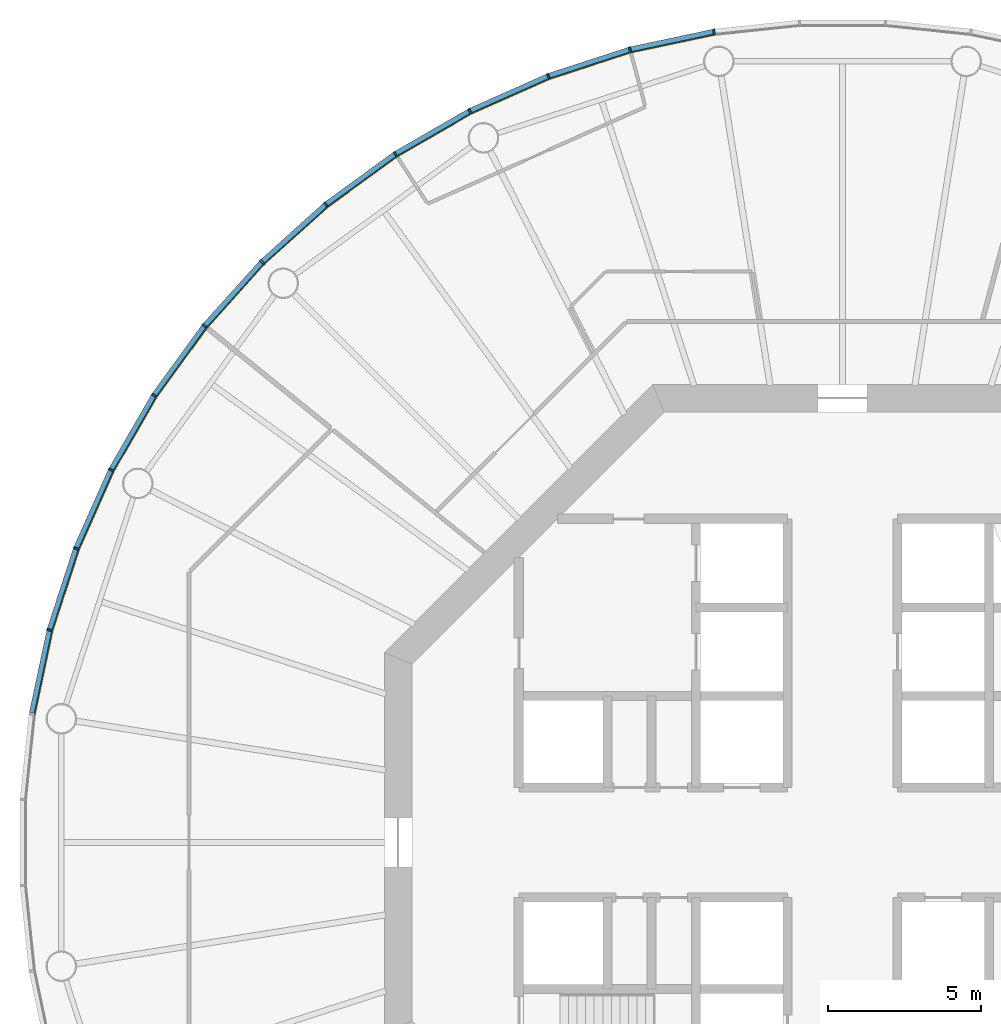
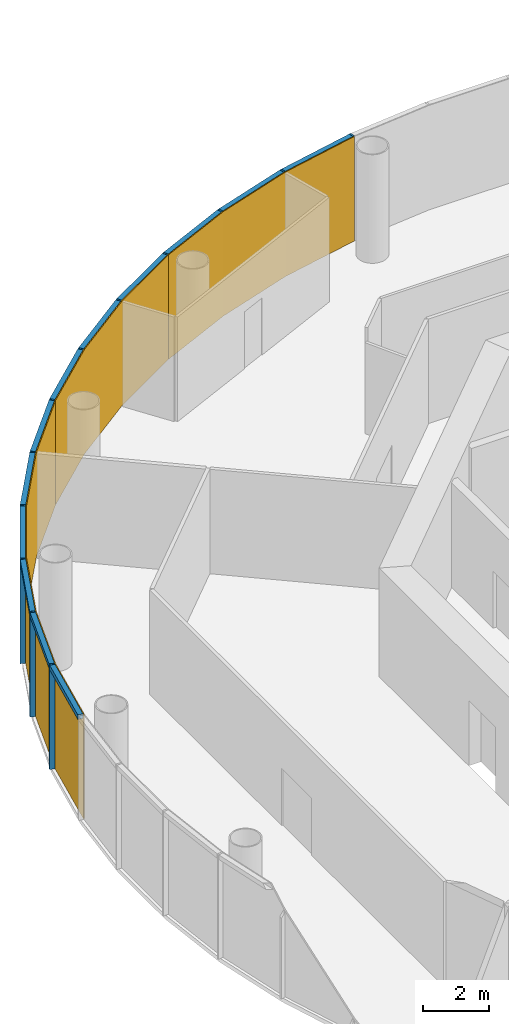
# One storey, part 9 of 12: 24 members, 4 curtain walls.
"""IFC4 building model written with IfcOpenShell, lengths in metres."""

from ifc_helpers import new_model, si_unit, direction, frame, origin, origin_2d, place, context, subcontext, project, spatial, polyline, rectangle, outline, extrude, material, layer, layer_set, material_profile, profile_set, type_object, element, aggregate, save


model = new_model("IFC4")

# Units and contexts
model_context = context("Model", 3, precision=1e-05, world=origin(), true_north=direction((0.0, 1.0)))
body_context = subcontext(model_context, "Body", "Model", "MODEL_VIEW")
ifc_project = project(units=[si_unit("LENGTHUNIT", "METRE"), si_unit("AREAUNIT", "SQUARE_METRE"), si_unit("VOLUMEUNIT", "CUBIC_METRE"), si_unit("PLANEANGLEUNIT", "RADIAN"), si_unit("MASSUNIT", "GRAM", prefix="KILO")], contexts=[model_context])

# Member
ifc_material_1 = material(Name="Anodised aluminium", Category="aluminium")
ifc_material_profile_1 = material_profile(ifc_material_1, rectangle(XDim=0.06005859375, YDim=0.169921875, at=origin_2d()), Name="Mullion 60 x 170 mm anodised aluminium")
ifc_profile_set_1 = profile_set([ifc_material_profile_1], Name="Anodised aluminium")
member_type_1 = type_object("IfcMemberType", Name="Mullion 60 x 170 mm anodised aluminium", PredefinedType="MULLION", material=ifc_profile_set_1)
site_placement = place(None, origin())
building_placement = place(site_placement, origin())
storey_placement = place(building_placement, frame((0.0, 0.0, 210.0)))
member_1_placement = place(storey_placement, frame((85.794189453125, 106.553955078125, 0.0), z_axis=(0.0, 0.0, 1.0), x_axis=(-0.987688340595, -0.15643446504, 0.0)))
member_1 = element("IfcMember", 1, at=member_1_placement, type_object=member_type_1, Name="MULLION L48-15", PredefinedType="MULLION", context=body_context, shape_type="SweptSolid", body=[
    extrude(rectangle(XDim=0.06005859375, YDim=0.169921875, at=origin_2d()), origin(), (0.0, 0.0, 1.0), 3.85009765625),
])

member_2_placement = place(storey_placement, frame((83.041748046875, 105.968994140625, 0.0), z_axis=(0.0, 0.0, 1.0), x_axis=(-0.965925826289, -0.258819045103, 0.0)))
member_2 = element("IfcMember", 2, at=member_2_placement, type_object=member_type_1, Name="MULLION L48-16", PredefinedType="MULLION", context=body_context, shape_type="SweptSolid", body=[
    extrude(rectangle(XDim=0.06005859375, YDim=0.169921875, at=origin_2d()), origin(), (0.0, 0.0, 1.0), 3.85009765625),
])

member_3_placement = place(storey_placement, frame((80.365234375, 105.099365234375, 0.0), z_axis=(0.0, 0.0, 1.0), x_axis=(-0.933580426497, -0.358367949545, 0.0)))
member_3 = element("IfcMember", 3, at=member_3_placement, type_object=member_type_1, Name="MULLION L48-17", PredefinedType="MULLION", context=body_context, shape_type="SweptSolid", body=[
    extrude(rectangle(XDim=0.06005859375, YDim=0.169921875, at=origin_2d()), origin(), (0.0, 0.0, 1.0), 3.85009765625),
])

member_4_placement = place(storey_placement, frame((77.79443359375, 103.95458984375, 0.0), z_axis=(0.0, 0.0, 1.0), x_axis=(-0.891006524188, -0.45399049974, 0.0)))
member_4 = element("IfcMember", 4, at=member_4_placement, type_object=member_type_1, Name="MULLION L48-18", PredefinedType="MULLION", context=body_context, shape_type="SweptSolid", body=[
    extrude(rectangle(XDim=0.06005859375, YDim=0.169921875, at=origin_2d()), origin(), (0.0, 0.0, 1.0), 3.85009765625),
])

member_5_placement = place(storey_placement, frame((75.357421875, 102.547607421875, 0.0), z_axis=(0.0, 0.0, 1.0), x_axis=(-0.838670567945, -0.544639035015, 0.0)))
member_5 = element("IfcMember", 5, at=member_5_placement, type_object=member_type_1, Name="MULLION L48-19", PredefinedType="MULLION", context=body_context, shape_type="SweptSolid", body=[
    extrude(rectangle(XDim=0.06005859375, YDim=0.169921875, at=origin_2d()), origin(), (0.0, 0.0, 1.0), 3.85009765625),
])

member_6_placement = place(storey_placement, frame((73.080810546875, 100.8935546875, 0.0), z_axis=(0.0, 0.0, 1.0), x_axis=(-0.777145961457, -0.62932039105, 0.0)))
member_6 = element("IfcMember", 6, at=member_6_placement, type_object=member_type_1, Name="MULLION L48-20", PredefinedType="MULLION", context=body_context, shape_type="SweptSolid", body=[
    extrude(rectangle(XDim=0.06005859375, YDim=0.169921875, at=origin_2d()), origin(), (0.0, 0.0, 1.0), 3.85009765625),
])

member_7_placement = place(storey_placement, frame((70.989501953125, 99.010498046875, 0.0), z_axis=(0.0, 0.0, 1.0), x_axis=(-0.707106781187, -0.707106781187, 0.0)))
member_7 = element("IfcMember", 7, at=member_7_placement, type_object=member_type_1, Name="MULLION L48-21", PredefinedType="MULLION", context=body_context, shape_type="SweptSolid", body=[
    extrude(rectangle(XDim=0.06005859375, YDim=0.169921875, at=origin_2d()), origin(), (0.0, 0.0, 1.0), 3.85009765625),
])

member_8_placement = place(storey_placement, frame((69.1064453125, 96.919189453125, 0.0), z_axis=(0.0, 0.0, 1.0), x_axis=(-0.62932039105, -0.777145961457, 0.0)))
member_8 = element("IfcMember", 8, at=member_8_placement, type_object=member_type_1, Name="MULLION L48-22", PredefinedType="MULLION", context=body_context, shape_type="SweptSolid", body=[
    extrude(rectangle(XDim=0.06005859375, YDim=0.169921875, at=origin_2d()), origin(), (0.0, 0.0, 1.0), 3.85009765625),
])

member_9_placement = place(storey_placement, frame((67.452392578125, 94.642578125, 0.0), z_axis=(0.0, 0.0, 1.0), x_axis=(-0.544639035015, -0.838670567945, 0.0)))
member_9 = element("IfcMember", 9, at=member_9_placement, type_object=member_type_1, Name="MULLION L48-23", PredefinedType="MULLION", context=body_context, shape_type="SweptSolid", body=[
    extrude(rectangle(XDim=0.06005859375, YDim=0.169921875, at=origin_2d()), origin(), (0.0, 0.0, 1.0), 3.85009765625),
])

member_10_placement = place(storey_placement, frame((66.04541015625, 92.20556640625, 0.0), z_axis=(0.0, 0.0, 1.0), x_axis=(-0.45399049974, -0.891006524188, 0.0)))
member_10 = element("IfcMember", 10, at=member_10_placement, type_object=member_type_1, Name="MULLION L48-24", PredefinedType="MULLION", context=body_context, shape_type="SweptSolid", body=[
    extrude(rectangle(XDim=0.06005859375, YDim=0.169921875, at=origin_2d()), origin(), (0.0, 0.0, 1.0), 3.85009765625),
])

member_11_placement = place(storey_placement, frame((64.900634765625, 89.634765625, 0.0), z_axis=(0.0, 0.0, 1.0), x_axis=(-0.358367949545, -0.933580426497, 0.0)))
member_11 = element("IfcMember", 11, at=member_11_placement, type_object=member_type_1, Name="MULLION L48-25", PredefinedType="MULLION", context=body_context, shape_type="SweptSolid", body=[
    extrude(rectangle(XDim=0.06005859375, YDim=0.169921875, at=origin_2d()), origin(), (0.0, 0.0, 1.0), 3.85009765625),
])

member_12_placement = place(storey_placement, frame((64.031005859375, 86.958251953125, 0.0), z_axis=(0.0, 0.0, 1.0), x_axis=(-0.258819045103, -0.965925826289, 0.0)))
member_12 = element("IfcMember", 12, at=member_12_placement, type_object=member_type_1, Name="MULLION L48-26", PredefinedType="MULLION", context=body_context, shape_type="SweptSolid", body=[
    extrude(rectangle(XDim=0.06005859375, YDim=0.169921875, at=origin_2d()), origin(), (0.0, 0.0, 1.0), 3.85009765625),
])

ifc_material_2 = material(Name="Anodised aluminium", Category="aluminium")
ifc_material_profile_2 = material_profile(ifc_material_2, rectangle(XDim=0.169921875, YDim=0.1650390625, at=origin_2d()), Name="Transom 165 x 170 mm anodised aluminium")
ifc_profile_set_2 = profile_set([ifc_material_profile_2], Name="Anodised aluminium")
member_type_2 = type_object("IfcMemberType", Name="Transom 165 x 170 mm anodised aluminium", PredefinedType="USERDEFINED", material=ifc_profile_set_2)
member_13_placement = place(storey_placement, frame((85.760498046875, 106.546875, 3.767578125), z_axis=(-0.97814212115, -0.207937468562, 0.0), x_axis=(0.207937468562, -0.97814212115, 0.0)))
member_13 = element("IfcMember", 13, at=member_13_placement, type_object=member_type_2, Name="TRANSOM L48-15", ObjectType="TRANSOM", PredefinedType="USERDEFINED", context=body_context, shape_type="SweptSolid", body=[
    extrude(rectangle(XDim=0.169921875, YDim=0.1650390625, at=origin_2d()), origin(), (0.0, 0.0, 1.0), 2.7451171875),
])

member_14_placement = place(storey_placement, frame((83.0087890625, 105.95849609375, 3.767578125), z_axis=(-0.951048445774, -0.309041831781, 0.0), x_axis=(0.309041831781, -0.951048445774, 0.0)))
member_14 = element("IfcMember", 14, at=member_14_placement, type_object=member_type_2, Name="TRANSOM L48-16", ObjectType="TRANSOM", PredefinedType="USERDEFINED", context=body_context, shape_type="SweptSolid", body=[
    extrude(rectangle(XDim=0.169921875, YDim=0.1650390625, at=origin_2d()), origin(), (0.0, 0.0, 1.0), 2.7451171875),
])

member_15_placement = place(storey_placement, frame((80.333740234375, 105.08544921875, 3.767578125), z_axis=(-0.913525267704, -0.406781987391, 0.0), x_axis=(0.406781987391, -0.913525267704, 0.0)))
member_15 = element("IfcMember", 15, at=member_15_placement, type_object=member_type_2, Name="TRANSOM L48-17", ObjectType="TRANSOM", PredefinedType="USERDEFINED", context=body_context, shape_type="SweptSolid", body=[
    extrude(rectangle(XDim=0.169921875, YDim=0.1650390625, at=origin_2d()), origin(), (0.0, 0.0, 1.0), 2.7451171875),
])

member_16_placement = place(storey_placement, frame((77.7646484375, 103.9375, 3.767578125), z_axis=(-0.866034527326, -0.49998419723, 0.0), x_axis=(0.49998419723, -0.866034527326, 0.0)))
member_16 = element("IfcMember", 16, at=member_16_placement, type_object=member_type_2, Name="TRANSOM L48-18", ObjectType="TRANSOM", PredefinedType="USERDEFINED", context=body_context, shape_type="SweptSolid", body=[
    extrude(rectangle(XDim=0.169921875, YDim=0.1650390625, at=origin_2d()), origin(), (0.0, 0.0, 1.0), 2.7451171875),
])

member_17_placement = place(storey_placement, frame((75.329345703125, 102.527587890625, 3.767578125), z_axis=(-0.808959086484, -0.587864947412, 0.0), x_axis=(0.587864947412, -0.808959086484, 0.0)))
member_17 = element("IfcMember", 17, at=member_17_placement, type_object=member_type_2, Name="TRANSOM L48-19", ObjectType="TRANSOM", PredefinedType="USERDEFINED", context=body_context, shape_type="SweptSolid", body=[
    extrude(rectangle(XDim=0.169921875, YDim=0.1650390625, at=origin_2d()), origin(), (0.0, 0.0, 1.0), 2.7451171875),
])

member_18_placement = place(storey_placement, frame((73.054931640625, 100.87060546875, 3.767578125), z_axis=(-0.743134927907, -0.669141598561, 0.0), x_axis=(0.669141598561, -0.743134927907, 0.0)))
member_18 = element("IfcMember", 18, at=member_18_placement, type_object=member_type_2, Name="TRANSOM L48-20", ObjectType="TRANSOM", PredefinedType="USERDEFINED", context=body_context, shape_type="SweptSolid", body=[
    extrude(rectangle(XDim=0.169921875, YDim=0.1650390625, at=origin_2d()), origin(), (0.0, 0.0, 1.0), 2.7451171875),
])

member_19_placement = place(storey_placement, frame((70.96630859375, 98.985107421875, 3.767578125), z_axis=(-0.669141598561, -0.743134927907, 0.0), x_axis=(0.743134927907, -0.669141598561, 0.0)))
member_19 = element("IfcMember", 19, at=member_19_placement, type_object=member_type_2, Name="TRANSOM L48-21", ObjectType="TRANSOM", PredefinedType="USERDEFINED", context=body_context, shape_type="SweptSolid", body=[
    extrude(rectangle(XDim=0.169921875, YDim=0.1650390625, at=origin_2d()), origin(), (0.0, 0.0, 1.0), 2.7451171875),
])

member_20_placement = place(storey_placement, frame((69.086181640625, 96.891357421875, 3.767578125), z_axis=(-0.587864947412, -0.808959086484, 0.0), x_axis=(0.808959086484, -0.587864947412, 0.0)))
member_20 = element("IfcMember", 20, at=member_20_placement, type_object=member_type_2, Name="TRANSOM L48-22", ObjectType="TRANSOM", PredefinedType="USERDEFINED", context=body_context, shape_type="SweptSolid", body=[
    extrude(rectangle(XDim=0.169921875, YDim=0.1650390625, at=origin_2d()), origin(), (0.0, 0.0, 1.0), 2.7451171875),
])

member_21_placement = place(storey_placement, frame((67.43505859375, 94.61279296875, 3.767578125), z_axis=(-0.49998419723, -0.866034527326, 0.0), x_axis=(0.866034527326, -0.49998419723, 0.0)))
member_21 = element("IfcMember", 21, at=member_21_placement, type_object=member_type_2, Name="TRANSOM L48-23", ObjectType="TRANSOM", PredefinedType="USERDEFINED", context=body_context, shape_type="SweptSolid", body=[
    extrude(rectangle(XDim=0.169921875, YDim=0.1650390625, at=origin_2d()), origin(), (0.0, 0.0, 1.0), 2.7451171875),
])

member_22_placement = place(storey_placement, frame((66.03125, 92.174072265625, 3.767578125), z_axis=(-0.406781987391, -0.913525267704, 0.0), x_axis=(0.913525267704, -0.406781987391, 0.0)))
member_22 = element("IfcMember", 22, at=member_22_placement, type_object=member_type_2, Name="TRANSOM L48-24", ObjectType="TRANSOM", PredefinedType="USERDEFINED", context=body_context, shape_type="SweptSolid", body=[
    extrude(rectangle(XDim=0.169921875, YDim=0.1650390625, at=origin_2d()), origin(), (0.0, 0.0, 1.0), 2.7451171875),
])

member_23_placement = place(storey_placement, frame((64.889892578125, 89.60205078125, 3.767578125), z_axis=(-0.309041831781, -0.951048445774, 0.0), x_axis=(0.951048445774, -0.309041831781, 0.0)))
member_23 = element("IfcMember", 23, at=member_23_placement, type_object=member_type_2, Name="TRANSOM L48-25", ObjectType="TRANSOM", PredefinedType="USERDEFINED", context=body_context, shape_type="SweptSolid", body=[
    extrude(rectangle(XDim=0.169921875, YDim=0.1650390625, at=origin_2d()), origin(), (0.0, 0.0, 1.0), 2.7451171875),
])

member_24_placement = place(storey_placement, frame((64.02392578125, 86.924560546875, 3.767578125), z_axis=(-0.207937468562, -0.97814212115, 0.0), x_axis=(0.97814212115, -0.207937468562, 0.0)))
member_24 = element("IfcMember", 24, at=member_24_placement, type_object=member_type_2, Name="TRANSOM L48-26", ObjectType="TRANSOM", PredefinedType="USERDEFINED", context=body_context, shape_type="SweptSolid", body=[
    extrude(rectangle(XDim=0.169921875, YDim=0.1650390625, at=origin_2d()), origin(), (0.0, 0.0, 1.0), 2.7451171875),
])

# Site, building, storey
site = spatial("IfcSite", under=ifc_project, at=site_placement, CompositionType="ELEMENT")
building = spatial("IfcBuilding", under=site, at=building_placement, Name="Entoto Ring Tower", CompositionType="ELEMENT")
storey = spatial("IfcBuildingStorey", under=building, at=storey_placement, Name="L48", CompositionType="ELEMENT", Elevation=210.0)

# Curtain wall
ifc_material_3 = material(Name="Clear low-iron glass", Category="glass")
ifc_layer = layer(ifc_material_3, 0.031982421875)
ifc_layer_set = layer_set([ifc_layer], Name="Clear low-iron glass")
curtain_wall_type = type_object("IfcCurtainWallType", Name="Curtain wall system CW4 glazing 32 mm", PredefinedType="NOTDEFINED", material=ifc_layer_set)
curtain_wall_1_placement = place(storey_placement, origin())
curtain_wall_1 = element("IfcCurtainWall", 25, at=curtain_wall_1_placement, inside=storey, type_object=curtain_wall_type, Name="CW4 L48-06", PredefinedType="NOTDEFINED", context=body_context, shape_type="SweptSolid", body=[
    extrude(outline(polyline([(85.8076171875, 106.469970703125), (83.063720703125, 105.88671875), (80.395751953125, 105.02001953125), (77.8330078125, 103.87890625), (77.84765625, 103.850341796875), (80.4072265625, 104.989990234375), (83.072021484375, 105.85595703125), (85.8125, 106.4384765625), (85.8076171875, 106.469970703125)])), origin(), (0.0, 0.0, 1.0), 3.85009765625),
])

aggregate(curtain_wall_1, [member_1, member_2, member_3, member_13, member_14, member_15])

curtain_wall_2_placement = place(storey_placement, origin())
curtain_wall_2 = element("IfcCurtainWall", 26, at=curtain_wall_2_placement, inside=storey, type_object=curtain_wall_type, Name="CW4 L48-07", PredefinedType="NOTDEFINED", context=body_context, shape_type="SweptSolid", body=[
    extrude(outline(polyline([(77.8330078125, 103.87890625), (75.403564453125, 102.476318359375), (73.13427734375, 100.827392578125), (71.049560546875, 98.950439453125), (71.072265625, 98.927734375), (73.154296875, 100.802490234375), (75.421142578125, 102.449462890625), (77.84765625, 103.850341796875), (77.8330078125, 103.87890625)])), origin(), (0.0, 0.0, 1.0), 3.85009765625),
])

aggregate(curtain_wall_2, [member_4, member_5, member_6, member_16, member_17, member_18])

curtain_wall_3_placement = place(storey_placement, origin())
curtain_wall_3 = element("IfcCurtainWall", 27, at=curtain_wall_3_placement, inside=storey, type_object=curtain_wall_type, Name="CW4 L48-08", PredefinedType="NOTDEFINED", context=body_context, shape_type="SweptSolid", body=[
    extrude(outline(polyline([(71.049560546875, 98.950439453125), (69.172607421875, 96.86572265625), (67.523681640625, 94.596435546875), (66.12109375, 92.1669921875), (66.149658203125, 92.15234375), (67.550537109375, 94.578857421875), (69.197509765625, 96.845703125), (71.072265625, 98.927734375), (71.049560546875, 98.950439453125)])), origin(), (0.0, 0.0, 1.0), 3.85009765625),
])

aggregate(curtain_wall_3, [member_7, member_8, member_9, member_19, member_20, member_21])

curtain_wall_4_placement = place(storey_placement, origin())
curtain_wall_4 = element("IfcCurtainWall", 28, at=curtain_wall_4_placement, inside=storey, type_object=curtain_wall_type, Name="CW4 L48-09", PredefinedType="NOTDEFINED", context=body_context, shape_type="SweptSolid", body=[
    extrude(outline(polyline([(66.12109375, 92.1669921875), (64.97998046875, 89.604248046875), (64.11328125, 86.936279296875), (63.530029296875, 84.1923828125), (63.5615234375, 84.1875), (64.14404296875, 86.927978515625), (65.010009765625, 89.5927734375), (66.149658203125, 92.15234375), (66.12109375, 92.1669921875)])), origin(), (0.0, 0.0, 1.0), 3.85009765625),
])

aggregate(curtain_wall_4, [member_10, member_11, member_12, member_22, member_23, member_24])

save(model, "model.ifc")
